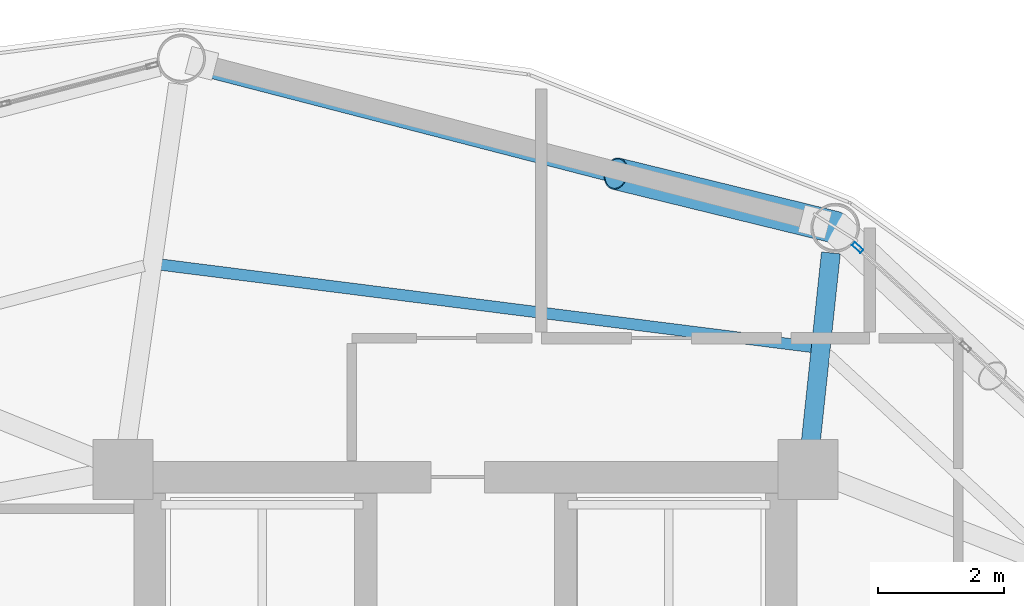
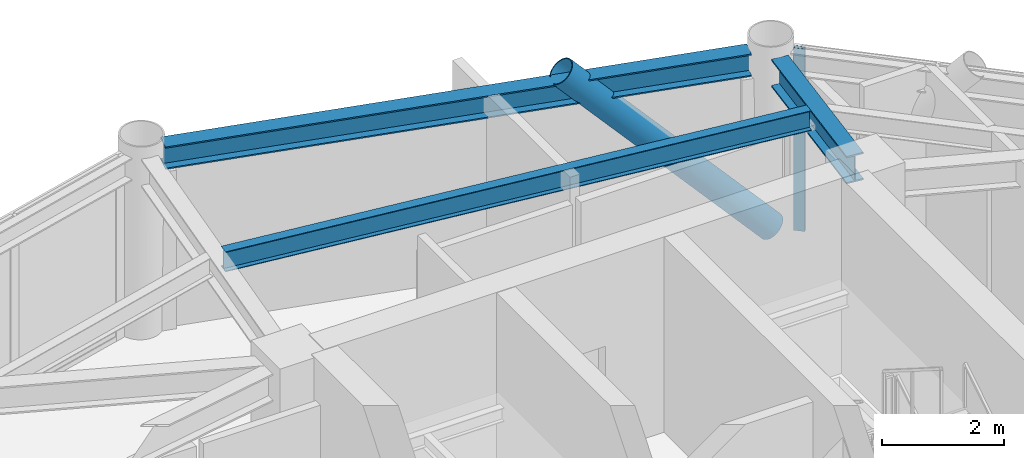
# One storey, part 18 of 25: 3 beams, 2 members, 1 element without a shape of its own.
"""IFC4 building model written with IfcOpenShell, lengths in metres."""

from ifc_helpers import new_model, si_unit, direction, frame, origin, origin_2d, place, context, subcontext, project, spatial, hollow_rectangle, hollow_circle, i_section, extrude, material, layer, layer_set, material_profile, profile_set, type_object, element, aggregate, save


model = new_model("IFC4")

# Units and contexts
model_context = context("Model", 3, precision=1e-05, world=origin(), true_north=direction((0.0, 1.0)))
body_context = subcontext(model_context, "Body", "Model", "MODEL_VIEW")
ifc_project = project(units=[si_unit("LENGTHUNIT", "METRE"), si_unit("AREAUNIT", "SQUARE_METRE"), si_unit("VOLUMEUNIT", "CUBIC_METRE"), si_unit("PLANEANGLEUNIT", "RADIAN"), si_unit("MASSUNIT", "GRAM", prefix="KILO")], contexts=[model_context])

# Site, building, storey
site_placement = place(None, origin())
site = spatial("IfcSite", under=ifc_project, at=site_placement, CompositionType="ELEMENT")
building_placement = place(site_placement, origin())
building = spatial("IfcBuilding", under=site, at=building_placement, Name="Varnakorn Sky Granary", CompositionType="ELEMENT")
storey_placement = place(building_placement, frame((0.0, 0.0, 146.10009765625)))
storey = spatial("IfcBuildingStorey", under=building, at=storey_placement, Name="L36", CompositionType="ELEMENT", Elevation=146.10009765625)

# Beams
ifc_material_1 = material(Name="Steel S355JR", Category="steel")
ifc_material_profile_1 = material_profile(ifc_material_1, i_section(OverallWidth=0.300048828125, OverallDepth=0.550048828125, WebThickness=0.014892578125, FlangeThickness=0.029052734375, at=origin_2d()), Name="HE 550 B")
ifc_profile_set_1 = profile_set([ifc_material_profile_1], Name="Steel S355JR")
beam_type_1 = type_object("IfcBeamType", Name="BM-RAD-Z3", PredefinedType="BEAM", material=ifc_profile_set_1)
beam_1_placement = place(storey_placement, frame((8.464599609375, 13.03759765625, 3.364990234375), z_axis=(0.105821662219, 0.994385124489, 0.0), x_axis=(-0.994385124489, 0.105821662219, 0.0)))
element("IfcBeam", 1, at=beam_1_placement, inside=storey, type_object=beam_type_1, Name="Radial Floor Girder RG03 L36", PredefinedType="BEAM", context=body_context, shape_type="SweptSolid", body=[
    extrude(i_section(OverallWidth=0.300048828125, OverallDepth=0.550048828125, WebThickness=0.014892578125, FlangeThickness=0.029052734375, at=origin_2d()), origin(), (0.0, 0.0, 1.0), 3.029296875),
])
ifc_material_profile_2 = material_profile(ifc_material_1, i_section(OverallWidth=0.179931640625, OverallDepth=0.39990234375, WebThickness=0.008544921875, FlangeThickness=0.013427734375, at=origin_2d()), Name="IPE 400")
ifc_profile_set_2 = profile_set([ifc_material_profile_2], Name="Steel S355JR")
beam_type_2 = type_object("IfcBeamType", Name="BM-SEC-Z3", PredefinedType="BEAM", material=ifc_profile_set_2)
beam_2_placement = place(storey_placement, frame((8.486083984375, 14.561279296875, 3.43994140625), z_axis=(-0.992110253938, 0.125368433151, 0.0), x_axis=(-0.125368433151, -0.992110253938, 0.0)))
element("IfcBeam", 2, at=beam_2_placement, inside=storey, type_object=beam_type_2, Name="Secondary Floor Chord Beam MSB03 L36", PredefinedType="BEAM", context=body_context, shape_type="SweptSolid", body=[
    extrude(i_section(OverallWidth=0.179931640625, OverallDepth=0.39990234375, WebThickness=0.008544921875, FlangeThickness=0.013427734375, at=origin_2d()), origin(), (0.0, 0.0, 1.0), 10.385498046875),
])
ifc_material_profile_3 = material_profile(ifc_material_1, i_section(OverallWidth=0.300048828125, OverallDepth=0.449951171875, WebThickness=0.013916015625, FlangeThickness=0.02587890625, at=origin_2d()), Name="HE 450 B")
ifc_profile_set_3 = profile_set([ifc_material_profile_3], Name="Steel S355JR")
beam_type_3 = type_object("IfcBeamType", Name="BM-SPD-Z3", PredefinedType="SPANDREL", material=ifc_profile_set_3)
beam_3_placement = place(storey_placement, frame((8.4697265625, 16.505615234375, 3.414794921875), z_axis=(-0.968056139534, 0.250733545243, 0.0), x_axis=(-0.250733545243, -0.968056139534, 0.0)))
element("IfcBeam", 3, at=beam_3_placement, inside=storey, type_object=beam_type_3, Name="Perimeter Spandrel Ring Beam RB03 L36", PredefinedType="SPANDREL", context=body_context, shape_type="SweptSolid", body=[
    extrude(i_section(OverallWidth=0.300048828125, OverallDepth=0.449951171875, WebThickness=0.013916015625, FlangeThickness=0.02587890625, at=origin_2d()), origin(), (0.0, 0.0, 1.0), 9.932861328125),
])

# Curtain wall, member
ifc_material_2 = material(Name="Anodised Bronze Aluminium Alloy 6063-T6", Category="aluminium")
ifc_layer = layer(ifc_material_2, 0.179931640625, Name="Anodised Bronze Aluminium Alloy 6063-T6")
ifc_layer_set = layer_set([ifc_layer], Name="Anodised Bronze Aluminium Alloy 6063-T6")
curtain_wall_type = type_object("IfcCurtainWallType", Name="CW-FRM-2", PredefinedType="USERDEFINED", material=ifc_layer_set)
curtain_wall_placement = place(storey_placement, origin())
curtain_wall = element("IfcCurtainWall", 4, at=curtain_wall_placement, inside=storey, type_object=curtain_wall_type, Name="Unitised Curtain Wall CW4 CW-L36-B02", ObjectType="CURTAIN WALL", PredefinedType="USERDEFINED")
ifc_material_profile_4 = material_profile(ifc_material_2, hollow_rectangle(XDim=0.070068359375, YDim=0.18505859375, WallThickness=0.00390625, at=origin_2d()), Name="ALU MULL 70x185")
ifc_profile_set_4 = profile_set([ifc_material_profile_4], Name="Anodised Bronze Aluminium Alloy 6063-T6")
member_type_1 = type_object("IfcMemberType", Name="CW-FRM-2-MULL", PredefinedType="MULLION", material=ifc_profile_set_4)
member_1_placement = place(storey_placement, frame((9.208251953125, 16.133544921875, 0.0), z_axis=(0.0, 0.0, 1.0), x_axis=(0.675960473988, 0.736937879069, 0.0)))
member_1 = element("IfcMember", 5, at=member_1_placement, type_object=member_type_1, Name="CW4 mullion 1", PredefinedType="MULLION", context=body_context, shape_type="SweptSolid", body=[
    extrude(hollow_rectangle(XDim=0.070068359375, YDim=0.18505859375, WallThickness=0.00390625, at=origin_2d()), origin(), (0.0, 0.0, 1.0), 3.639892578125),
])
aggregate(curtain_wall, [member_1])

# Member
ifc_material_3 = material(Name="Steel S460M", Category="steel")
ifc_material_profile_5 = material_profile(ifc_material_3, hollow_circle(Radius=0.25390625, WallThickness=0.01806640625, at=origin_2d()), Name="CHS 508x18")
ifc_profile_set_5 = profile_set([ifc_material_profile_5], Name="Steel S460M")
member_type_2 = type_object("IfcMemberType", Name="MB-DIAG-T2", PredefinedType="BRACE", material=ifc_profile_set_5)
member_2_placement = place(storey_placement, frame((8.857421875, 16.455322265625, 0.0), z_axis=(-0.666744495624, 0.163078807565, 0.727225604664), x_axis=(-0.237586189737, -0.971366461458, 0.0)))
element("IfcMember", 6, at=member_2_placement, inside=storey, type_object=member_type_2, Name="Perimeter CHS Diagrid Brace DG03 L36", PredefinedType="BRACE", context=body_context, shape_type="SweptSolid", body=[
    extrude(hollow_circle(Radius=0.25390625, WallThickness=0.01806640625, at=origin_2d()), origin(), (0.0, 0.0, 1.0), 5.21142578125),
])

save(model, "model.ifc")
